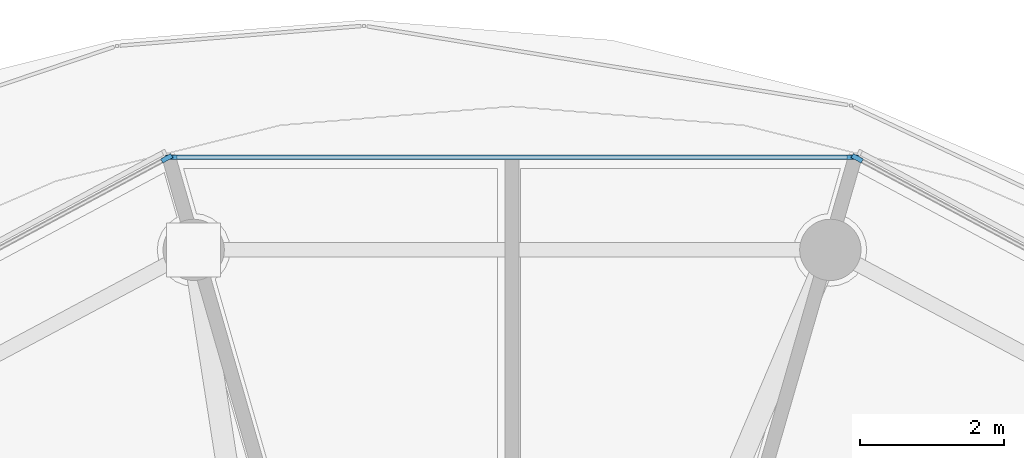
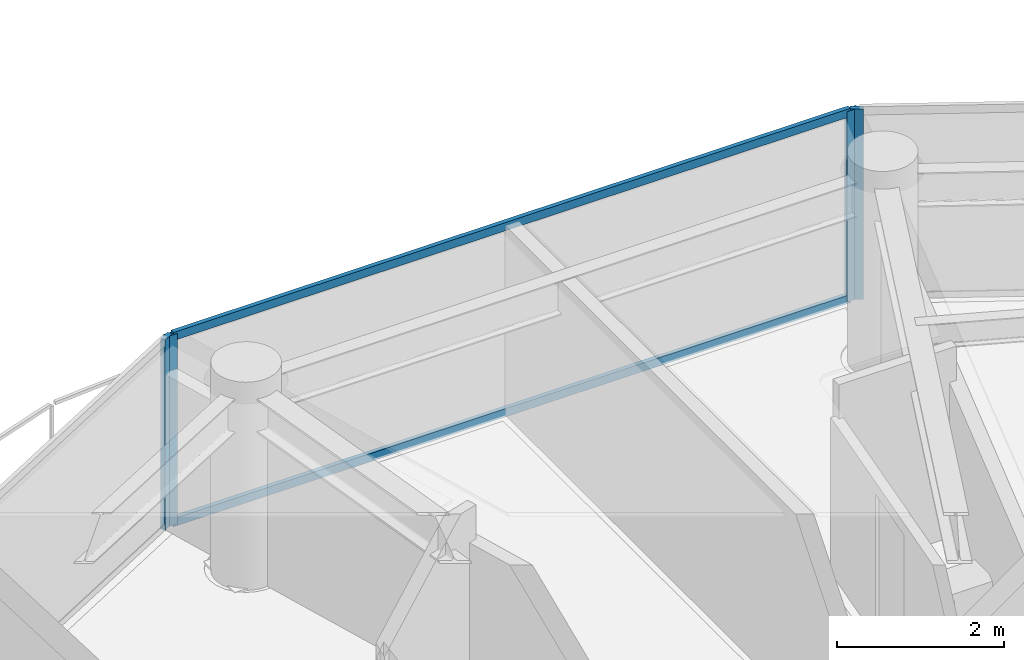
# One storey, part 9 of 32: 6 members, 3 elements without a shape of their own.
"""IFC4 building model written with IfcOpenShell, lengths in metres."""

from ifc_helpers import new_model, si_unit, direction, frame, origin, origin_2d, place, context, subcontext, project, spatial, rectangle, extrude, source, transform, mapped, material, layer, layer_set, material_profile, profile_set, type_object, type_shapes, element, aggregate, save


model = new_model("IFC4")

# Units and contexts
model_context = context("Model", 3, precision=1e-05, world=origin(), true_north=direction((0.0, 1.0)))
body_context = subcontext(model_context, "Body", "Model", "MODEL_VIEW")
ifc_project = project(units=[si_unit("LENGTHUNIT", "METRE"), si_unit("AREAUNIT", "SQUARE_METRE"), si_unit("VOLUMEUNIT", "CUBIC_METRE"), si_unit("PLANEANGLEUNIT", "RADIAN"), si_unit("MASSUNIT", "GRAM", prefix="KILO")], contexts=[model_context])

# Site, building, storey
site_placement = place(None, origin())
site = spatial("IfcSite", under=ifc_project, at=site_placement, CompositionType="ELEMENT")
building_placement = place(site_placement, origin())
building = spatial("IfcBuilding", under=site, at=building_placement, Name="Norrkilde Senior Care Towers", CompositionType="ELEMENT")
storey_placement = place(building_placement, frame((0.0, 0.0, 77.949951171875)))
storey = spatial("IfcBuildingStorey", under=building, at=storey_placement, Name="L23", CompositionType="ELEMENT", Elevation=77.949951171875)

# Curtain wall, member
ifc_material_1 = material(Name="Triple Low-E Insulated Glazing", Category="glass")
ifc_layer = layer(ifc_material_1, 0.195068359375)
ifc_layer_set = layer_set([ifc_layer], Name="Triple Low-E Insulated Glazing")
curtain_wall_type = type_object("IfcCurtainWallType", Name="CW3 Zone 2 Assisted Living Curtain Wall", PredefinedType="NOTDEFINED", material=ifc_layer_set)
curtain_wall_1_placement = place(storey_placement, origin())
curtain_wall_1 = element("IfcCurtainWall", 1, at=curtain_wall_1_placement, inside=storey, type_object=curtain_wall_type, Name="L23 Drum W Curtain Wall 01", PredefinedType="NOTDEFINED")
ifc_material_2 = material(Name="Anodised Aluminium", Category="aluminium")
ifc_material_profile_1 = material_profile(ifc_material_2, rectangle(XDim=0.06494140625, YDim=0.159912109375, at=origin_2d()), Name="ALU MULL 65x160")
ifc_profile_set_1 = profile_set([ifc_material_profile_1], Name="Anodised Aluminium")
member_type_1 = type_object("IfcMemberType", Name="Curtain Wall Mullion Z1-Z2 65x160", PredefinedType="MULLION", material=ifc_profile_set_1)
shared_shape_1 = source(origin(), body_context, "Body", "SweptSolid", [
    extrude(rectangle(XDim=0.06494140625, YDim=0.159912109375, at=origin_2d()), origin(), (0.0, 0.0, 1.0), 2.7900390625),
])
type_shapes(member_type_1, [shared_shape_1])
member_1_placement = place(storey_placement, frame((-21.164306640625, 16.482666015625, 0.0), z_axis=(0.0, 0.0, 1.0), x_axis=(0.472769402511, 0.881186184668, 0.0)))
member_1 = element("IfcMember", 2, at=member_1_placement, type_object=member_type_1, Name="CW-3 mullion 1", PredefinedType="MULLION", context=body_context, shape_type="MappedRepresentation", body=[
    mapped(shared_shape_1, transform((0.0, 0.0, 0.0), x_axis=(1.0, 0.0, 0.0), y_axis=(0.0, 1.0, 0.0), z_axis=(0.0, 0.0, 1.0), scale=1.0)),
])
aggregate(curtain_wall_1, [member_1])

# Curtain wall, members
curtain_wall_2_placement = place(storey_placement, origin())
curtain_wall_2 = element("IfcCurtainWall", 3, at=curtain_wall_2_placement, inside=storey, type_object=curtain_wall_type, Name="L23 Drum W Curtain Wall 02", PredefinedType="NOTDEFINED")
member_2_placement = place(storey_placement, frame((-30.674560546875, 16.498046875, 0.0), z_axis=(0.0, 0.0, 1.0), x_axis=(0.0, 1.0, 0.0)))
member_2 = element("IfcMember", 4, at=member_2_placement, type_object=member_type_1, Name="CW-3 mullion 1", PredefinedType="MULLION", context=body_context, shape_type="MappedRepresentation", body=[
    mapped(shared_shape_1, transform((0.0, 0.0, 0.0), x_axis=(1.0, 0.0, 0.0), y_axis=(0.0, 1.0, 0.0), z_axis=(0.0, 0.0, 1.0), scale=1.0)),
])
member_3_placement = place(storey_placement, frame((-21.225341796875, 16.498046875, 0.0), z_axis=(0.0, 0.0, 1.0), x_axis=(0.0, 1.0, 0.0)))
member_3 = element("IfcMember", 5, at=member_3_placement, type_object=member_type_1, Name="CW-3 mullion 2", PredefinedType="MULLION", context=body_context, shape_type="MappedRepresentation", body=[
    mapped(shared_shape_1, transform((0.0, 0.0, 0.0), x_axis=(1.0, 0.0, 0.0), y_axis=(0.0, 1.0, 0.0), z_axis=(0.0, 0.0, 1.0), scale=1.0)),
])

# Curtain wall, member
curtain_wall_3_placement = place(storey_placement, origin())
curtain_wall_3 = element("IfcCurtainWall", 6, at=curtain_wall_3_placement, inside=storey, type_object=curtain_wall_type, Name="L23 Drum W Curtain Wall 03", PredefinedType="NOTDEFINED")
member_4_placement = place(storey_placement, frame((-30.73583984375, 16.482666015625, 0.0), z_axis=(0.0, 0.0, 1.0), x_axis=(-0.472769402511, 0.881186184668, 0.0)))
member_4 = element("IfcMember", 7, at=member_4_placement, type_object=member_type_1, Name="CW-3 mullion 2", PredefinedType="MULLION", context=body_context, shape_type="MappedRepresentation", body=[
    mapped(shared_shape_1, transform((0.0, 0.0, 0.0), x_axis=(1.0, 0.0, 0.0), y_axis=(0.0, 1.0, 0.0), z_axis=(0.0, 0.0, 1.0), scale=1.0)),
])
aggregate(curtain_wall_3, [member_4])

# Member
ifc_material_profile_2 = material_profile(ifc_material_2, rectangle(XDim=0.06005859375, YDim=0.1201171875, at=origin_2d()), Name="ALU TRAN 60x120")
ifc_profile_set_2 = profile_set([ifc_material_profile_2], Name="Anodised Aluminium")
member_type_2 = type_object("IfcMemberType", Name="Curtain Wall Transom Typical 60x120", PredefinedType="USERDEFINED", material=ifc_profile_set_2)
shared_shape_2 = source(origin(), body_context, "Body", "SweptSolid", [
    extrude(rectangle(XDim=0.06005859375, YDim=0.1201171875, at=origin_2d()), origin(), (0.0, 0.0, 1.0), 9.38427734375),
])
type_shapes(member_type_2, [shared_shape_2])
member_5_placement = place(storey_placement, frame((-30.64208984375, 16.498046875, 0.030029296875), z_axis=(1.0, 0.0, 0.0), x_axis=(0.0, 1.0, 0.0)))
member_5 = element("IfcMember", 8, at=member_5_placement, type_object=member_type_2, Name="CW-3 transom 1.1", ObjectType="TRANSOM", PredefinedType="USERDEFINED", context=body_context, shape_type="MappedRepresentation", body=[
    mapped(shared_shape_2, transform((0.0, 0.0, 0.0), x_axis=(1.0, 0.0, 0.0), y_axis=(0.0, 1.0, 0.0), z_axis=(0.0, 0.0, 1.0), scale=1.0)),
])

member_6_placement = place(storey_placement, frame((-30.64208984375, 16.498046875, 2.760009765625), z_axis=(1.0, 0.0, 0.0), x_axis=(0.0, 1.0, 0.0)))
member_6 = element("IfcMember", 9, at=member_6_placement, type_object=member_type_2, Name="CW-3 transom 1.2", ObjectType="TRANSOM", PredefinedType="USERDEFINED", context=body_context, shape_type="MappedRepresentation", body=[
    mapped(shared_shape_2, transform((0.0, 0.0, 0.0), x_axis=(1.0, 0.0, 0.0), y_axis=(0.0, 1.0, 0.0), z_axis=(0.0, 0.0, 1.0), scale=1.0)),
])

aggregate(curtain_wall_2, [member_2, member_3, member_5, member_6])

save(model, "model.ifc")
